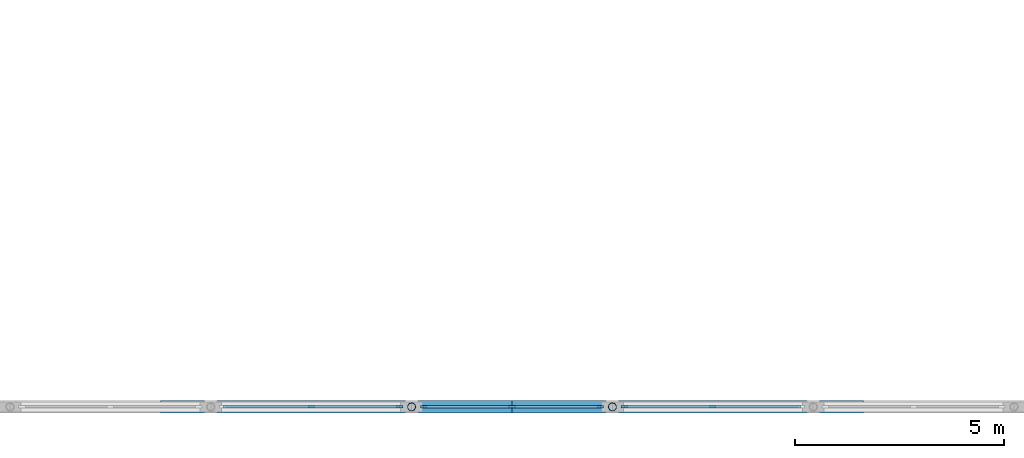
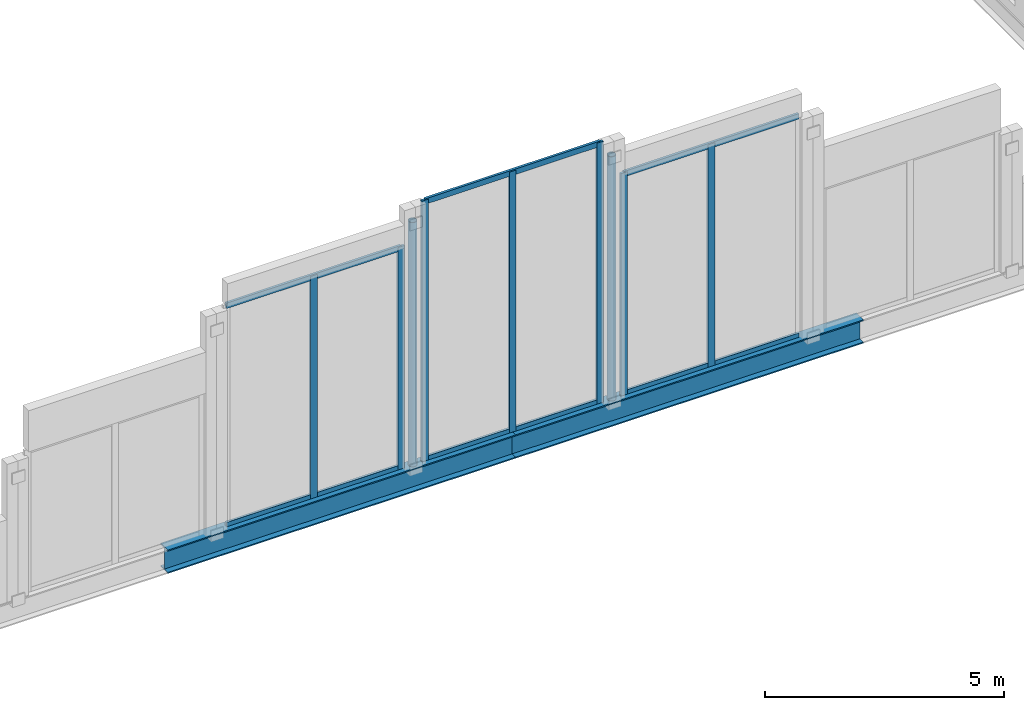
# One storey, part 3 of 34: 15 members, 2 beams, 3 elements without a shape of their own.
"""IFC4 building model written with IfcOpenShell, lengths in metres."""

from ifc_helpers import new_model, si_unit, direction, frame, origin, origin_2d, place, context, subcontext, project, spatial, rectangle, hollow_circle, i_section, extrude, material, material_profile, profile_set, type_object, element, aggregate, save


model = new_model("IFC4")

# Units and contexts
model_context = context("Model", 3, precision=1e-05, world=origin(), true_north=direction((0.0, 1.0)))
body_context = subcontext(model_context, "Body", "Model", "MODEL_VIEW")
ifc_project = project(units=[si_unit("LENGTHUNIT", "METRE"), si_unit("AREAUNIT", "SQUARE_METRE"), si_unit("VOLUMEUNIT", "CUBIC_METRE"), si_unit("PLANEANGLEUNIT", "RADIAN"), si_unit("MASSUNIT", "GRAM", prefix="KILO")], contexts=[model_context])

# Site, building, storey
site_placement = place(None, origin())
site = spatial("IfcSite", under=ifc_project, at=site_placement, CompositionType="ELEMENT")
building_placement = place(site_placement, origin())
building = spatial("IfcBuilding", under=site, at=building_placement, Name="Kahlenmark Community Centre", CompositionType="ELEMENT")
storey_placement = place(building_placement, frame((0.0, 0.0, 17.699951171875)))
storey = spatial("IfcBuildingStorey", under=building, at=storey_placement, Name="L04", CompositionType="ELEMENT", Elevation=17.699951171875)

# Beams
ifc_material_1 = material(Name="Steel S355", Category="steel")
ifc_material_profile_1 = material_profile(ifc_material_1, i_section(OverallWidth=0.300048828125, OverallDepth=0.60009765625, WebThickness=0.015380859375, FlangeThickness=0.030029296875, at=origin_2d()), Name="HEB 600")
ifc_profile_set_1 = profile_set([ifc_material_profile_1], Name="Steel S355")
beam_type = type_object("IfcBeamType", Name="BT-SPANDREL-HEB600", PredefinedType="SPANDREL", material=ifc_profile_set_1)
beam_1_placement = place(storey_placement, frame((20.800048828125, 8.800048828125, 0.0), z_axis=(1.0, 0.0, 0.0), x_axis=(0.0, 1.0, 0.0)))
element("IfcBeam", 1, at=beam_1_placement, inside=storey, type_object=beam_type, Name="L04 spandrel RB-1", PredefinedType="SPANDREL", context=body_context, shape_type="SweptSolid", body=[
    extrude(i_section(OverallWidth=0.300048828125, OverallDepth=0.60009765625, WebThickness=0.015380859375, FlangeThickness=0.030029296875, at=origin_2d()), origin(), (0.0, 0.0, 1.0), 8.39990234375),
])
beam_2_placement = place(storey_placement, frame((29.199951171875, 8.800048828125, 0.0), z_axis=(1.0, 0.0, 0.0), x_axis=(0.0, 1.0, 0.0)))
element("IfcBeam", 2, at=beam_2_placement, inside=storey, type_object=beam_type, Name="L04 spandrel RB-1", PredefinedType="SPANDREL", context=body_context, shape_type="SweptSolid", body=[
    extrude(i_section(OverallWidth=0.300048828125, OverallDepth=0.60009765625, WebThickness=0.015380859375, FlangeThickness=0.030029296875, at=origin_2d()), origin(), (0.0, 0.0, 1.0), 8.400146484375),
])

# Curtain wall, members
ifc_material_2 = material(Name="Anodised aluminium unitised curtain wall", Category="aluminium")
curtain_wall_type_1 = type_object("IfcCurtainWallType", Name="CWT-UNIT-428X568", PredefinedType="USERDEFINED", material=ifc_material_2)
curtain_wall_1_placement = place(storey_placement, origin())
curtain_wall_1 = element("IfcCurtainWall", 3, at=curtain_wall_1_placement, inside=storey, type_object=curtain_wall_type_1, Name="Unitised curtain wall CW-192", ObjectType="UNITISED CURTAIN WALL", PredefinedType="USERDEFINED")
ifc_material_3 = material(Name="Anodised aluminium 6063-T6", Category="aluminium")
ifc_material_profile_2 = material_profile(ifc_material_3, rectangle(XDim=0.06005859375, YDim=0.159912109375, at=origin_2d()), Name="ALU MULLION 60x160")
ifc_profile_set_2 = profile_set([ifc_material_profile_2], Name="Anodised aluminium 6063-T6")
member_type_1 = type_object("IfcMemberType", Name="MT-MUL-160", PredefinedType="MULLION", material=ifc_profile_set_2)
member_1_placement = place(storey_placement, frame((24.39990234375, 8.800048828125, 0.300048828125), z_axis=(0.0, 0.0, 1.0), x_axis=(0.0, 1.0, 0.0)))
member_1 = element("IfcMember", 4, at=member_1_placement, type_object=member_type_1, Name="CW-192 mullion 2", PredefinedType="MULLION", context=body_context, shape_type="SweptSolid", body=[
    extrude(rectangle(XDim=0.06005859375, YDim=0.159912109375, at=origin_2d()), origin(), (0.0, 0.0, 1.0), 5.6796875),
])
member_2_placement = place(storey_placement, frame((26.510009765625, 8.800048828125, 0.300048828125), z_axis=(0.0, 0.0, 1.0), x_axis=(0.0, 1.0, 0.0)))
member_2 = element("IfcMember", 5, at=member_2_placement, type_object=member_type_1, Name="CW-192 mullion 3", PredefinedType="MULLION", context=body_context, shape_type="SweptSolid", body=[
    extrude(rectangle(XDim=0.06005859375, YDim=0.159912109375, at=origin_2d()), origin(), (0.0, 0.0, 1.0), 5.6796875),
])

curtain_wall_type_2 = type_object("IfcCurtainWallType", Name="CWT-UNIT-428X666", PredefinedType="USERDEFINED", material=ifc_material_2)
curtain_wall_2_placement = place(storey_placement, origin())
curtain_wall_2 = element("IfcCurtainWall", 6, at=curtain_wall_2_placement, inside=storey, type_object=curtain_wall_type_2, Name="Unitised curtain wall CW-193", ObjectType="UNITISED CURTAIN WALL", PredefinedType="USERDEFINED")
member_3_placement = place(storey_placement, frame((27.090087890625, 8.800048828125, 0.300048828125), z_axis=(0.0, 0.0, 1.0), x_axis=(0.0, 1.0, 0.0)))
member_3 = element("IfcMember", 7, at=member_3_placement, type_object=member_type_1, Name="CW-193 mullion 1", PredefinedType="MULLION", context=body_context, shape_type="SweptSolid", body=[
    extrude(rectangle(XDim=0.06005859375, YDim=0.159912109375, at=origin_2d()), origin(), (0.0, 0.0, 1.0), 6.66259765625),
])
member_4_placement = place(storey_placement, frame((29.199951171875, 8.800048828125, 0.300048828125), z_axis=(0.0, 0.0, 1.0), x_axis=(0.0, 1.0, 0.0)))
member_4 = element("IfcMember", 8, at=member_4_placement, type_object=member_type_1, Name="CW-193 mullion 2", PredefinedType="MULLION", context=body_context, shape_type="SweptSolid", body=[
    extrude(rectangle(XDim=0.06005859375, YDim=0.159912109375, at=origin_2d()), origin(), (0.0, 0.0, 1.0), 6.66259765625),
])
member_5_placement = place(storey_placement, frame((31.31005859375, 8.800048828125, 0.300048828125), z_axis=(0.0, 0.0, 1.0), x_axis=(0.0, 1.0, 0.0)))
member_5 = element("IfcMember", 9, at=member_5_placement, type_object=member_type_1, Name="CW-193 mullion 3", PredefinedType="MULLION", context=body_context, shape_type="SweptSolid", body=[
    extrude(rectangle(XDim=0.06005859375, YDim=0.159912109375, at=origin_2d()), origin(), (0.0, 0.0, 1.0), 6.66259765625),
])

curtain_wall_3_placement = place(storey_placement, origin())
curtain_wall_3 = element("IfcCurtainWall", 10, at=curtain_wall_3_placement, inside=storey, type_object=curtain_wall_type_1, Name="Unitised curtain wall CW-194", ObjectType="UNITISED CURTAIN WALL", PredefinedType="USERDEFINED")
member_6_placement = place(storey_placement, frame((31.889892578125, 8.800048828125, 0.300048828125), z_axis=(0.0, 0.0, 1.0), x_axis=(0.0, 1.0, 0.0)))
member_6 = element("IfcMember", 11, at=member_6_placement, type_object=member_type_1, Name="CW-194 mullion 1", PredefinedType="MULLION", context=body_context, shape_type="SweptSolid", body=[
    extrude(rectangle(XDim=0.06005859375, YDim=0.159912109375, at=origin_2d()), origin(), (0.0, 0.0, 1.0), 5.6796875),
])
member_7_placement = place(storey_placement, frame((34.0, 8.800048828125, 0.300048828125), z_axis=(0.0, 0.0, 1.0), x_axis=(0.0, 1.0, 0.0)))
member_7 = element("IfcMember", 12, at=member_7_placement, type_object=member_type_1, Name="CW-194 mullion 2", PredefinedType="MULLION", context=body_context, shape_type="SweptSolid", body=[
    extrude(rectangle(XDim=0.06005859375, YDim=0.159912109375, at=origin_2d()), origin(), (0.0, 0.0, 1.0), 5.6796875),
])

# Members
ifc_material_profile_3 = material_profile(ifc_material_1, hollow_circle(Radius=0.096923828125, WallThickness=0.008056640625, at=origin_2d()), Name="CHS 193.7x8")
ifc_profile_set_3 = profile_set([ifc_material_profile_3], Name="Steel S355")
member_type_2 = type_object("IfcMemberType", Name="MT-STRUT-CHS193.7x8", PredefinedType="STRUT", material=ifc_profile_set_3)
for number, where, z_axis, x_axis, name in (
    (13, (26.800048828125, 8.800048828125, 0.280029296875), (0.0, 0.0, 1.0), (1.0, 0.0, 0.0), "L04 strut GS-POST"),
    (14, (31.60009765625, 8.800048828125, 0.280029296875), (0.0, 0.0, 1.0), (1.0, 0.0, 0.0), "L04 strut GS-POST"),
):
    element("IfcMember", number, at=place(storey_placement, frame(where, z_axis=z_axis, x_axis=x_axis)), inside=storey, type_object=member_type_2, Name=name, PredefinedType="STRUT", context=body_context, shape_type="SweptSolid", body=[
        extrude(hollow_circle(Radius=0.096923828125, WallThickness=0.008056640625, at=origin_2d()), origin(), (0.0, 0.0, 1.0), 6.256103515625),
    ])

# Member
ifc_material_profile_4 = material_profile(ifc_material_3, rectangle(XDim=0.06005859375, YDim=0.139892578125, at=origin_2d()), Name="ALU TRANSOM 60x140")
ifc_profile_set_4 = profile_set([ifc_material_profile_4], Name="Anodised aluminium 6063-T6")
member_type_3 = type_object("IfcMemberType", Name="MT-TRN-140", PredefinedType="USERDEFINED", material=ifc_profile_set_4)
member_8_placement = place(storey_placement, frame((22.2900390625, 8.800048828125, 0.340087890625), z_axis=(1.0, 0.0, 0.0), x_axis=(0.0, 1.0, 0.0)))
member_8 = element("IfcMember", 15, at=member_8_placement, type_object=member_type_3, Name="CW-192 transom 1", ObjectType="TRANSOM", PredefinedType="USERDEFINED", context=body_context, shape_type="SweptSolid", body=[
    extrude(rectangle(XDim=0.06005859375, YDim=0.139892578125, at=origin_2d()), origin(), (0.0, 0.0, 1.0), 4.219970703125),
])

member_9_placement = place(storey_placement, frame((22.2900390625, 8.800048828125, 5.939697265625), z_axis=(1.0, 0.0, 0.0), x_axis=(0.0, 1.0, 0.0)))
member_9 = element("IfcMember", 16, at=member_9_placement, type_object=member_type_3, Name="CW-192 transom 2", ObjectType="TRANSOM", PredefinedType="USERDEFINED", context=body_context, shape_type="SweptSolid", body=[
    extrude(rectangle(XDim=0.06005859375, YDim=0.139892578125, at=origin_2d()), origin(), (0.0, 0.0, 1.0), 4.219970703125),
])

aggregate(curtain_wall_1, [member_1, member_2, member_8, member_9])

member_10_placement = place(storey_placement, frame((27.090087890625, 8.800048828125, 0.340087890625), z_axis=(1.0, 0.0, 0.0), x_axis=(0.0, 1.0, 0.0)))
member_10 = element("IfcMember", 17, at=member_10_placement, type_object=member_type_3, Name="CW-193 transom 1", ObjectType="TRANSOM", PredefinedType="USERDEFINED", context=body_context, shape_type="SweptSolid", body=[
    extrude(rectangle(XDim=0.06005859375, YDim=0.139892578125, at=origin_2d()), origin(), (0.0, 0.0, 1.0), 4.219970703125),
])

member_11_placement = place(storey_placement, frame((27.090087890625, 8.800048828125, 6.922607421875), z_axis=(1.0, 0.0, 0.0), x_axis=(0.0, 1.0, 0.0)))
member_11 = element("IfcMember", 18, at=member_11_placement, type_object=member_type_3, Name="CW-193 transom 2", ObjectType="TRANSOM", PredefinedType="USERDEFINED", context=body_context, shape_type="SweptSolid", body=[
    extrude(rectangle(XDim=0.06005859375, YDim=0.139892578125, at=origin_2d()), origin(), (0.0, 0.0, 1.0), 4.219970703125),
])

aggregate(curtain_wall_2, [member_3, member_4, member_5, member_10, member_11])

member_12_placement = place(storey_placement, frame((31.889892578125, 8.800048828125, 0.340087890625), z_axis=(1.0, 0.0, 0.0), x_axis=(0.0, 1.0, 0.0)))
member_12 = element("IfcMember", 19, at=member_12_placement, type_object=member_type_3, Name="CW-194 transom 1", ObjectType="TRANSOM", PredefinedType="USERDEFINED", context=body_context, shape_type="SweptSolid", body=[
    extrude(rectangle(XDim=0.06005859375, YDim=0.139892578125, at=origin_2d()), origin(), (0.0, 0.0, 1.0), 4.22021484375),
])

member_13_placement = place(storey_placement, frame((31.889892578125, 8.800048828125, 5.939697265625), z_axis=(1.0, 0.0, 0.0), x_axis=(0.0, 1.0, 0.0)))
member_13 = element("IfcMember", 20, at=member_13_placement, type_object=member_type_3, Name="CW-194 transom 2", ObjectType="TRANSOM", PredefinedType="USERDEFINED", context=body_context, shape_type="SweptSolid", body=[
    extrude(rectangle(XDim=0.06005859375, YDim=0.139892578125, at=origin_2d()), origin(), (0.0, 0.0, 1.0), 4.22021484375),
])

aggregate(curtain_wall_3, [member_6, member_7, member_12, member_13])

save(model, "model.ifc")
